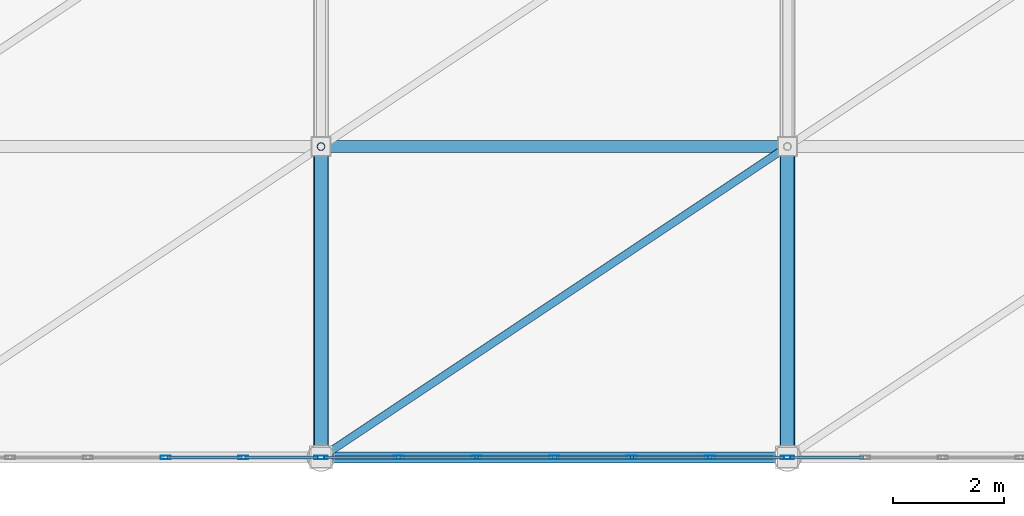
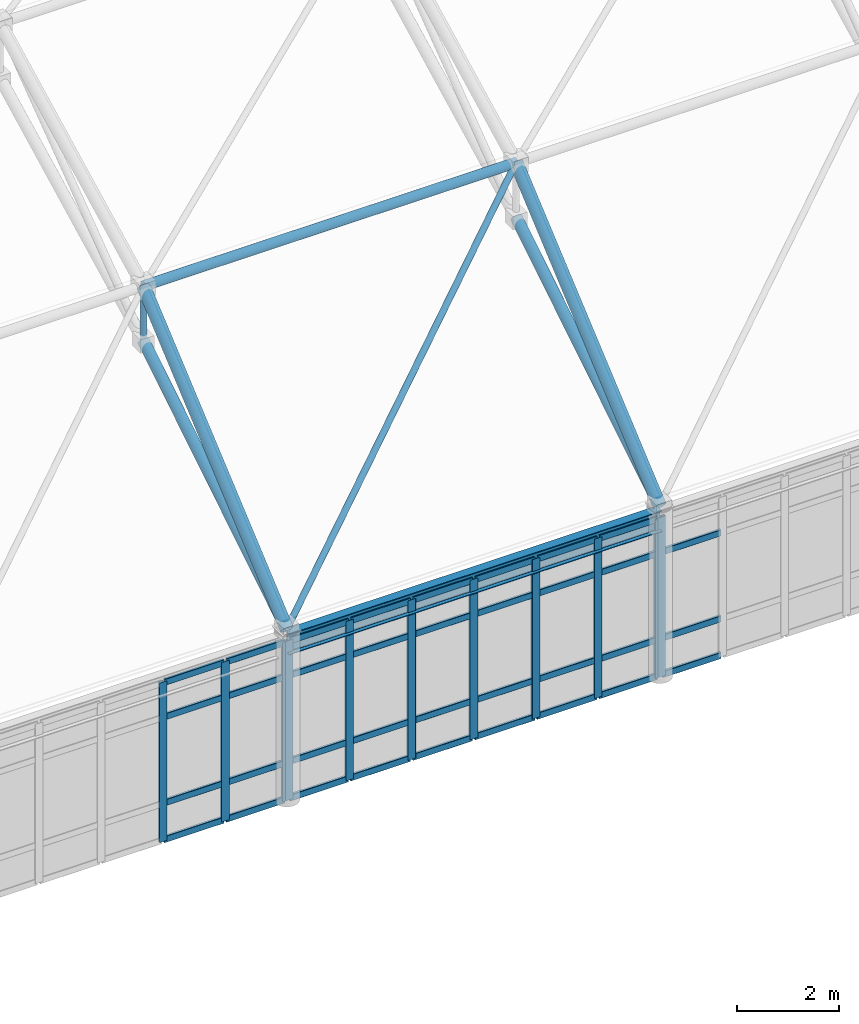
# One storey, part 67 of 184: 53 members, 1 beam, 3 elements without a shape of their own.
"""IFC4 building model written with IfcOpenShell, lengths in metres."""

from ifc_helpers import new_model, si_unit, direction, frame, origin, origin_2d, place, context, subcontext, project, spatial, hollow_rectangle, hollow_circle, i_section, extrude, material, layer, layer_set, material_profile, profile_set, type_object, element, aggregate, save


model = new_model("IFC4")

# Units and contexts
model_context = context("Model", 3, precision=1e-05, world=origin(), true_north=direction((0.0, 1.0)))
body_context = subcontext(model_context, "Body", "Model", "MODEL_VIEW")
ifc_project = project(units=[si_unit("LENGTHUNIT", "METRE"), si_unit("AREAUNIT", "SQUARE_METRE"), si_unit("VOLUMEUNIT", "CUBIC_METRE"), si_unit("PLANEANGLEUNIT", "RADIAN"), si_unit("MASSUNIT", "GRAM", prefix="KILO")], contexts=[model_context])

# Site, building, storey
site_placement = place(None, origin())
site = spatial("IfcSite", under=ifc_project, at=site_placement, CompositionType="ELEMENT")
building_placement = place(site_placement, origin())
building = spatial("IfcBuilding", under=site, at=building_placement, Name="Qalvenar Corner Mobility Hub", CompositionType="ELEMENT")
storey_placement = place(building_placement, frame((0.0, 0.0, 9.0)))
storey = spatial("IfcBuildingStorey", under=building, at=storey_placement, Name="L02", CompositionType="ELEMENT", Elevation=9.0)

# Beam
ifc_material_1 = material(Name="Steel S355", Category="steel")
ifc_material_profile_1 = material_profile(ifc_material_1, i_section(OverallWidth=0.199951171875, OverallDepth=0.5, WebThickness=0.01025390625, FlangeThickness=0.01611328125, FilletRadius=0.02099609375, at=origin_2d()), Name="IPE500")
ifc_profile_set_1 = profile_set([ifc_material_profile_1], Name="Steel S355")
beam_type = type_object("IfcBeamType", Name="BM-IPE500", PredefinedType="BEAM", material=ifc_profile_set_1)
beam_placement = place(storey_placement, frame((67.199951171875, 0.0, 3.75), z_axis=(1.0, 0.0, 0.0), x_axis=(0.0, 1.0, 0.0)))
element("IfcBeam", 1, at=beam_placement, inside=storey, type_object=beam_type, Name="Space Frame Ring Beam SFRB-3-0", PredefinedType="BEAM", context=body_context, shape_type="SweptSolid", body=[
    extrude(i_section(OverallWidth=0.199951171875, OverallDepth=0.5, WebThickness=0.01025390625, FlangeThickness=0.01611328125, FilletRadius=0.02099609375, at=origin_2d()), origin(), (0.0, 0.0, 1.0), 8.400146484375),
])

# Curtain wall, members
ifc_material_2 = material(Name="Anodised Aluminium and Low-E Glazing", Category="aluminium")
ifc_layer = layer(ifc_material_2, 0.179931640625)
ifc_layer_set = layer_set([ifc_layer], Name="Anodised Aluminium and Low-E Glazing")
curtain_wall_type = type_object("IfcCurtainWallType", Name="CW-CONC-84X42", PredefinedType="NOTDEFINED", material=ifc_layer_set)
curtain_wall_1_placement = place(storey_placement, origin())
curtain_wall_1 = element("IfcCurtainWall", 2, at=curtain_wall_1_placement, inside=storey, type_object=curtain_wall_type, Name="Glazed Curtain Wall CW-V1-L02-S1", PredefinedType="NOTDEFINED")
ifc_material_3 = material(Name="Anodised Aluminium 6063-T6", Category="aluminium")
ifc_material_profile_2 = material_profile(ifc_material_3, hollow_rectangle(XDim=0.06494140625, YDim=0.179931640625, WallThickness=0.00390625, InnerFilletRadius=0.00390625, OuterFilletRadius=0.008056640625, at=origin_2d()), Name="RHS180x65x4")
ifc_profile_set_2 = profile_set([ifc_material_profile_2], Name="Anodised Aluminium 6063-T6")
member_type_1 = type_object("IfcMemberType", Name="CW-MUL180", PredefinedType="MULLION", material=ifc_profile_set_2)
member_1_placement = place(storey_placement, frame((64.39990234375, 0.0, 0.0), z_axis=(0.0, 0.0, 1.0), x_axis=(0.0, 1.0, 0.0)))
member_1 = element("IfcMember", 3, at=member_1_placement, type_object=member_type_1, Name="CW-02 mullion 5", PredefinedType="MULLION", context=body_context, shape_type="SweptSolid", body=[
    extrude(hollow_rectangle(XDim=0.06494140625, YDim=0.179931640625, WallThickness=0.00390625, InnerFilletRadius=0.00390625, OuterFilletRadius=0.008056640625, at=origin_2d()), origin(), (0.0, 0.0, 1.0), 3.800048828125),
])
member_2_placement = place(storey_placement, frame((65.800048828125, 0.0, 0.0), z_axis=(0.0, 0.0, 1.0), x_axis=(0.0, 1.0, 0.0)))
member_2 = element("IfcMember", 4, at=member_2_placement, type_object=member_type_1, Name="CW-02 mullion 6", PredefinedType="MULLION", context=body_context, shape_type="SweptSolid", body=[
    extrude(hollow_rectangle(XDim=0.06494140625, YDim=0.179931640625, WallThickness=0.00390625, InnerFilletRadius=0.00390625, OuterFilletRadius=0.008056640625, at=origin_2d()), origin(), (0.0, 0.0, 1.0), 3.800048828125),
])
member_3_placement = place(storey_placement, frame((67.169921875, 0.0, 0.0), z_axis=(0.0, 0.0, 1.0), x_axis=(0.0, 1.0, 0.0)))
member_3 = element("IfcMember", 5, at=member_3_placement, type_object=member_type_1, Name="CW-02 mullion 7", PredefinedType="MULLION", context=body_context, shape_type="SweptSolid", body=[
    extrude(hollow_rectangle(XDim=0.06494140625, YDim=0.179931640625, WallThickness=0.00390625, InnerFilletRadius=0.00390625, OuterFilletRadius=0.008056640625, at=origin_2d()), origin(), (0.0, 0.0, 1.0), 3.800048828125),
])

curtain_wall_2_placement = place(storey_placement, origin())
curtain_wall_2 = element("IfcCurtainWall", 6, at=curtain_wall_2_placement, inside=storey, type_object=curtain_wall_type, Name="Glazed Curtain Wall CW-V1-L02-S2", PredefinedType="NOTDEFINED")
member_4_placement = place(storey_placement, frame((67.22998046875, 0.0, 0.0), z_axis=(0.0, 0.0, 1.0), x_axis=(0.0, 1.0, 0.0)))
member_4 = element("IfcMember", 7, at=member_4_placement, type_object=member_type_1, Name="CW-02 mullion 1", PredefinedType="MULLION", context=body_context, shape_type="SweptSolid", body=[
    extrude(hollow_rectangle(XDim=0.06494140625, YDim=0.179931640625, WallThickness=0.00390625, InnerFilletRadius=0.00390625, OuterFilletRadius=0.008056640625, at=origin_2d()), origin(), (0.0, 0.0, 1.0), 3.800048828125),
])
member_5_placement = place(storey_placement, frame((68.60009765625, 0.0, 0.0), z_axis=(0.0, 0.0, 1.0), x_axis=(0.0, 1.0, 0.0)))
member_5 = element("IfcMember", 8, at=member_5_placement, type_object=member_type_1, Name="CW-02 mullion 2", PredefinedType="MULLION", context=body_context, shape_type="SweptSolid", body=[
    extrude(hollow_rectangle(XDim=0.06494140625, YDim=0.179931640625, WallThickness=0.00390625, InnerFilletRadius=0.00390625, OuterFilletRadius=0.008056640625, at=origin_2d()), origin(), (0.0, 0.0, 1.0), 3.800048828125),
])
member_6_placement = place(storey_placement, frame((70.0, 0.0, 0.0), z_axis=(0.0, 0.0, 1.0), x_axis=(0.0, 1.0, 0.0)))
member_6 = element("IfcMember", 9, at=member_6_placement, type_object=member_type_1, Name="CW-02 mullion 3", PredefinedType="MULLION", context=body_context, shape_type="SweptSolid", body=[
    extrude(hollow_rectangle(XDim=0.06494140625, YDim=0.179931640625, WallThickness=0.00390625, InnerFilletRadius=0.00390625, OuterFilletRadius=0.008056640625, at=origin_2d()), origin(), (0.0, 0.0, 1.0), 3.800048828125),
])
member_7_placement = place(storey_placement, frame((71.39990234375, 0.0, 0.0), z_axis=(0.0, 0.0, 1.0), x_axis=(0.0, 1.0, 0.0)))
member_7 = element("IfcMember", 10, at=member_7_placement, type_object=member_type_1, Name="CW-02 mullion 4", PredefinedType="MULLION", context=body_context, shape_type="SweptSolid", body=[
    extrude(hollow_rectangle(XDim=0.06494140625, YDim=0.179931640625, WallThickness=0.00390625, InnerFilletRadius=0.00390625, OuterFilletRadius=0.008056640625, at=origin_2d()), origin(), (0.0, 0.0, 1.0), 3.800048828125),
])
member_8_placement = place(storey_placement, frame((72.800048828125, 0.0, 0.0), z_axis=(0.0, 0.0, 1.0), x_axis=(0.0, 1.0, 0.0)))
member_8 = element("IfcMember", 11, at=member_8_placement, type_object=member_type_1, Name="CW-02 mullion 5", PredefinedType="MULLION", context=body_context, shape_type="SweptSolid", body=[
    extrude(hollow_rectangle(XDim=0.06494140625, YDim=0.179931640625, WallThickness=0.00390625, InnerFilletRadius=0.00390625, OuterFilletRadius=0.008056640625, at=origin_2d()), origin(), (0.0, 0.0, 1.0), 3.800048828125),
])
member_9_placement = place(storey_placement, frame((74.199951171875, 0.0, 0.0), z_axis=(0.0, 0.0, 1.0), x_axis=(0.0, 1.0, 0.0)))
member_9 = element("IfcMember", 12, at=member_9_placement, type_object=member_type_1, Name="CW-02 mullion 6", PredefinedType="MULLION", context=body_context, shape_type="SweptSolid", body=[
    extrude(hollow_rectangle(XDim=0.06494140625, YDim=0.179931640625, WallThickness=0.00390625, InnerFilletRadius=0.00390625, OuterFilletRadius=0.008056640625, at=origin_2d()), origin(), (0.0, 0.0, 1.0), 3.800048828125),
])
member_10_placement = place(storey_placement, frame((75.570068359375, 0.0, 0.0), z_axis=(0.0, 0.0, 1.0), x_axis=(0.0, 1.0, 0.0)))
member_10 = element("IfcMember", 13, at=member_10_placement, type_object=member_type_1, Name="CW-02 mullion 7", PredefinedType="MULLION", context=body_context, shape_type="SweptSolid", body=[
    extrude(hollow_rectangle(XDim=0.06494140625, YDim=0.179931640625, WallThickness=0.00390625, InnerFilletRadius=0.00390625, OuterFilletRadius=0.008056640625, at=origin_2d()), origin(), (0.0, 0.0, 1.0), 3.800048828125),
])

# Curtain wall, member
curtain_wall_3_placement = place(storey_placement, origin())
curtain_wall_3 = element("IfcCurtainWall", 14, at=curtain_wall_3_placement, inside=storey, type_object=curtain_wall_type, Name="Glazed Curtain Wall CW-V1-L02-S3", PredefinedType="NOTDEFINED")
member_11_placement = place(storey_placement, frame((75.6298828125, 0.0, 0.0), z_axis=(0.0, 0.0, 1.0), x_axis=(0.0, 1.0, 0.0)))
member_11 = element("IfcMember", 15, at=member_11_placement, type_object=member_type_1, Name="CW-02 mullion 1", PredefinedType="MULLION", context=body_context, shape_type="SweptSolid", body=[
    extrude(hollow_rectangle(XDim=0.06494140625, YDim=0.179931640625, WallThickness=0.00390625, InnerFilletRadius=0.00390625, OuterFilletRadius=0.008056640625, at=origin_2d()), origin(), (0.0, 0.0, 1.0), 3.800048828125),
])

# Member
ifc_material_profile_3 = material_profile(ifc_material_3, hollow_rectangle(XDim=0.06005859375, YDim=0.14990234375, WallThickness=0.00341796875, InnerFilletRadius=0.00341796875, OuterFilletRadius=0.007080078125, at=origin_2d()), Name="RHS150x60x3.5")
ifc_profile_set_3 = profile_set([ifc_material_profile_3], Name="Anodised Aluminium 6063-T6")
member_type_2 = type_object("IfcMemberType", Name="CW-TRN150", PredefinedType="USERDEFINED", material=ifc_profile_set_3)
member_12_placement = place(storey_placement, frame((64.429931640625, 0.0, 0.027587890625), z_axis=(1.0, 0.0, 0.0), x_axis=(0.0, 1.0, 0.0)))
member_12 = element("IfcMember", 16, at=member_12_placement, type_object=member_type_2, Name="CW-02 transom 5.1", ObjectType="TRANSOM", PredefinedType="USERDEFINED", context=body_context, shape_type="SweptSolid", body=[
    extrude(hollow_rectangle(XDim=0.06005859375, YDim=0.14990234375, WallThickness=0.00341796875, InnerFilletRadius=0.00341796875, OuterFilletRadius=0.007080078125, at=origin_2d()), origin(), (0.0, 0.0, 1.0), 1.340087890625),
])

member_13_placement = place(storey_placement, frame((64.429931640625, 0.0, 0.89990234375), z_axis=(1.0, 0.0, 0.0), x_axis=(0.0, 1.0, 0.0)))
member_13 = element("IfcMember", 17, at=member_13_placement, type_object=member_type_2, Name="CW-02 transom 5.2", ObjectType="TRANSOM", PredefinedType="USERDEFINED", context=body_context, shape_type="SweptSolid", body=[
    extrude(hollow_rectangle(XDim=0.06005859375, YDim=0.14990234375, WallThickness=0.00341796875, InnerFilletRadius=0.00341796875, OuterFilletRadius=0.007080078125, at=origin_2d()), origin(), (0.0, 0.0, 1.0), 1.340087890625),
])

member_14_placement = place(storey_placement, frame((64.429931640625, 0.0, 2.949951171875), z_axis=(1.0, 0.0, 0.0), x_axis=(0.0, 1.0, 0.0)))
member_14 = element("IfcMember", 18, at=member_14_placement, type_object=member_type_2, Name="CW-02 transom 5.3", ObjectType="TRANSOM", PredefinedType="USERDEFINED", context=body_context, shape_type="SweptSolid", body=[
    extrude(hollow_rectangle(XDim=0.06005859375, YDim=0.14990234375, WallThickness=0.00341796875, InnerFilletRadius=0.00341796875, OuterFilletRadius=0.007080078125, at=origin_2d()), origin(), (0.0, 0.0, 1.0), 1.340087890625),
])

member_15_placement = place(storey_placement, frame((64.429931640625, 0.0, 3.7724609375), z_axis=(1.0, 0.0, 0.0), x_axis=(0.0, 1.0, 0.0)))
member_15 = element("IfcMember", 19, at=member_15_placement, type_object=member_type_2, Name="CW-02 transom 5.4", ObjectType="TRANSOM", PredefinedType="USERDEFINED", context=body_context, shape_type="SweptSolid", body=[
    extrude(hollow_rectangle(XDim=0.06005859375, YDim=0.14990234375, WallThickness=0.00341796875, InnerFilletRadius=0.00341796875, OuterFilletRadius=0.007080078125, at=origin_2d()), origin(), (0.0, 0.0, 1.0), 1.340087890625),
])

member_16_placement = place(storey_placement, frame((65.830078125, 0.0, 0.027587890625), z_axis=(1.0, 0.0, 0.0), x_axis=(0.0, 1.0, 0.0)))
member_16 = element("IfcMember", 20, at=member_16_placement, type_object=member_type_2, Name="CW-02 transom 6.1", ObjectType="TRANSOM", PredefinedType="USERDEFINED", context=body_context, shape_type="SweptSolid", body=[
    extrude(hollow_rectangle(XDim=0.06005859375, YDim=0.14990234375, WallThickness=0.00341796875, InnerFilletRadius=0.00341796875, OuterFilletRadius=0.007080078125, at=origin_2d()), origin(), (0.0, 0.0, 1.0), 1.309814453125),
])

member_17_placement = place(storey_placement, frame((65.830078125, 0.0, 0.89990234375), z_axis=(1.0, 0.0, 0.0), x_axis=(0.0, 1.0, 0.0)))
member_17 = element("IfcMember", 21, at=member_17_placement, type_object=member_type_2, Name="CW-02 transom 6.2", ObjectType="TRANSOM", PredefinedType="USERDEFINED", context=body_context, shape_type="SweptSolid", body=[
    extrude(hollow_rectangle(XDim=0.06005859375, YDim=0.14990234375, WallThickness=0.00341796875, InnerFilletRadius=0.00341796875, OuterFilletRadius=0.007080078125, at=origin_2d()), origin(), (0.0, 0.0, 1.0), 1.309814453125),
])

member_18_placement = place(storey_placement, frame((65.830078125, 0.0, 2.949951171875), z_axis=(1.0, 0.0, 0.0), x_axis=(0.0, 1.0, 0.0)))
member_18 = element("IfcMember", 22, at=member_18_placement, type_object=member_type_2, Name="CW-02 transom 6.3", ObjectType="TRANSOM", PredefinedType="USERDEFINED", context=body_context, shape_type="SweptSolid", body=[
    extrude(hollow_rectangle(XDim=0.06005859375, YDim=0.14990234375, WallThickness=0.00341796875, InnerFilletRadius=0.00341796875, OuterFilletRadius=0.007080078125, at=origin_2d()), origin(), (0.0, 0.0, 1.0), 1.309814453125),
])

member_19_placement = place(storey_placement, frame((65.830078125, 0.0, 3.7724609375), z_axis=(1.0, 0.0, 0.0), x_axis=(0.0, 1.0, 0.0)))
member_19 = element("IfcMember", 23, at=member_19_placement, type_object=member_type_2, Name="CW-02 transom 6.4", ObjectType="TRANSOM", PredefinedType="USERDEFINED", context=body_context, shape_type="SweptSolid", body=[
    extrude(hollow_rectangle(XDim=0.06005859375, YDim=0.14990234375, WallThickness=0.00341796875, InnerFilletRadius=0.00341796875, OuterFilletRadius=0.007080078125, at=origin_2d()), origin(), (0.0, 0.0, 1.0), 1.309814453125),
])

aggregate(curtain_wall_1, [member_1, member_2, member_3, member_12, member_13, member_14, member_15, member_16, member_17, member_18, member_19])

member_20_placement = place(storey_placement, frame((67.260009765625, 0.0, 0.027587890625), z_axis=(1.0, 0.0, 0.0), x_axis=(0.0, 1.0, 0.0)))
member_20 = element("IfcMember", 24, at=member_20_placement, type_object=member_type_2, Name="CW-02 transom 1.1", ObjectType="TRANSOM", PredefinedType="USERDEFINED", context=body_context, shape_type="SweptSolid", body=[
    extrude(hollow_rectangle(XDim=0.06005859375, YDim=0.14990234375, WallThickness=0.00341796875, InnerFilletRadius=0.00341796875, OuterFilletRadius=0.007080078125, at=origin_2d()), origin(), (0.0, 0.0, 1.0), 1.31005859375),
])

member_21_placement = place(storey_placement, frame((67.260009765625, 0.0, 0.89990234375), z_axis=(1.0, 0.0, 0.0), x_axis=(0.0, 1.0, 0.0)))
member_21 = element("IfcMember", 25, at=member_21_placement, type_object=member_type_2, Name="CW-02 transom 1.2", ObjectType="TRANSOM", PredefinedType="USERDEFINED", context=body_context, shape_type="SweptSolid", body=[
    extrude(hollow_rectangle(XDim=0.06005859375, YDim=0.14990234375, WallThickness=0.00341796875, InnerFilletRadius=0.00341796875, OuterFilletRadius=0.007080078125, at=origin_2d()), origin(), (0.0, 0.0, 1.0), 1.31005859375),
])

member_22_placement = place(storey_placement, frame((67.260009765625, 0.0, 2.949951171875), z_axis=(1.0, 0.0, 0.0), x_axis=(0.0, 1.0, 0.0)))
member_22 = element("IfcMember", 26, at=member_22_placement, type_object=member_type_2, Name="CW-02 transom 1.3", ObjectType="TRANSOM", PredefinedType="USERDEFINED", context=body_context, shape_type="SweptSolid", body=[
    extrude(hollow_rectangle(XDim=0.06005859375, YDim=0.14990234375, WallThickness=0.00341796875, InnerFilletRadius=0.00341796875, OuterFilletRadius=0.007080078125, at=origin_2d()), origin(), (0.0, 0.0, 1.0), 1.31005859375),
])

member_23_placement = place(storey_placement, frame((67.260009765625, 0.0, 3.7724609375), z_axis=(1.0, 0.0, 0.0), x_axis=(0.0, 1.0, 0.0)))
member_23 = element("IfcMember", 27, at=member_23_placement, type_object=member_type_2, Name="CW-02 transom 1.4", ObjectType="TRANSOM", PredefinedType="USERDEFINED", context=body_context, shape_type="SweptSolid", body=[
    extrude(hollow_rectangle(XDim=0.06005859375, YDim=0.14990234375, WallThickness=0.00341796875, InnerFilletRadius=0.00341796875, OuterFilletRadius=0.007080078125, at=origin_2d()), origin(), (0.0, 0.0, 1.0), 1.31005859375),
])

member_24_placement = place(storey_placement, frame((68.6298828125, 0.0, 0.027587890625), z_axis=(1.0, 0.0, 0.0), x_axis=(0.0, 1.0, 0.0)))
member_24 = element("IfcMember", 28, at=member_24_placement, type_object=member_type_2, Name="CW-02 transom 2.1", ObjectType="TRANSOM", PredefinedType="USERDEFINED", context=body_context, shape_type="SweptSolid", body=[
    extrude(hollow_rectangle(XDim=0.06005859375, YDim=0.14990234375, WallThickness=0.00341796875, InnerFilletRadius=0.00341796875, OuterFilletRadius=0.007080078125, at=origin_2d()), origin(), (0.0, 0.0, 1.0), 1.340087890625),
])

member_25_placement = place(storey_placement, frame((68.6298828125, 0.0, 0.89990234375), z_axis=(1.0, 0.0, 0.0), x_axis=(0.0, 1.0, 0.0)))
member_25 = element("IfcMember", 29, at=member_25_placement, type_object=member_type_2, Name="CW-02 transom 2.2", ObjectType="TRANSOM", PredefinedType="USERDEFINED", context=body_context, shape_type="SweptSolid", body=[
    extrude(hollow_rectangle(XDim=0.06005859375, YDim=0.14990234375, WallThickness=0.00341796875, InnerFilletRadius=0.00341796875, OuterFilletRadius=0.007080078125, at=origin_2d()), origin(), (0.0, 0.0, 1.0), 1.340087890625),
])

member_26_placement = place(storey_placement, frame((68.6298828125, 0.0, 2.949951171875), z_axis=(1.0, 0.0, 0.0), x_axis=(0.0, 1.0, 0.0)))
member_26 = element("IfcMember", 30, at=member_26_placement, type_object=member_type_2, Name="CW-02 transom 2.3", ObjectType="TRANSOM", PredefinedType="USERDEFINED", context=body_context, shape_type="SweptSolid", body=[
    extrude(hollow_rectangle(XDim=0.06005859375, YDim=0.14990234375, WallThickness=0.00341796875, InnerFilletRadius=0.00341796875, OuterFilletRadius=0.007080078125, at=origin_2d()), origin(), (0.0, 0.0, 1.0), 1.340087890625),
])

member_27_placement = place(storey_placement, frame((68.6298828125, 0.0, 3.7724609375), z_axis=(1.0, 0.0, 0.0), x_axis=(0.0, 1.0, 0.0)))
member_27 = element("IfcMember", 31, at=member_27_placement, type_object=member_type_2, Name="CW-02 transom 2.4", ObjectType="TRANSOM", PredefinedType="USERDEFINED", context=body_context, shape_type="SweptSolid", body=[
    extrude(hollow_rectangle(XDim=0.06005859375, YDim=0.14990234375, WallThickness=0.00341796875, InnerFilletRadius=0.00341796875, OuterFilletRadius=0.007080078125, at=origin_2d()), origin(), (0.0, 0.0, 1.0), 1.340087890625),
])

member_28_placement = place(storey_placement, frame((70.030029296875, 0.0, 0.027587890625), z_axis=(1.0, 0.0, 0.0), x_axis=(0.0, 1.0, 0.0)))
member_28 = element("IfcMember", 32, at=member_28_placement, type_object=member_type_2, Name="CW-02 transom 3.1", ObjectType="TRANSOM", PredefinedType="USERDEFINED", context=body_context, shape_type="SweptSolid", body=[
    extrude(hollow_rectangle(XDim=0.06005859375, YDim=0.14990234375, WallThickness=0.00341796875, InnerFilletRadius=0.00341796875, OuterFilletRadius=0.007080078125, at=origin_2d()), origin(), (0.0, 0.0, 1.0), 1.340087890625),
])

member_29_placement = place(storey_placement, frame((70.030029296875, 0.0, 0.89990234375), z_axis=(1.0, 0.0, 0.0), x_axis=(0.0, 1.0, 0.0)))
member_29 = element("IfcMember", 33, at=member_29_placement, type_object=member_type_2, Name="CW-02 transom 3.2", ObjectType="TRANSOM", PredefinedType="USERDEFINED", context=body_context, shape_type="SweptSolid", body=[
    extrude(hollow_rectangle(XDim=0.06005859375, YDim=0.14990234375, WallThickness=0.00341796875, InnerFilletRadius=0.00341796875, OuterFilletRadius=0.007080078125, at=origin_2d()), origin(), (0.0, 0.0, 1.0), 1.340087890625),
])

member_30_placement = place(storey_placement, frame((70.030029296875, 0.0, 2.949951171875), z_axis=(1.0, 0.0, 0.0), x_axis=(0.0, 1.0, 0.0)))
member_30 = element("IfcMember", 34, at=member_30_placement, type_object=member_type_2, Name="CW-02 transom 3.3", ObjectType="TRANSOM", PredefinedType="USERDEFINED", context=body_context, shape_type="SweptSolid", body=[
    extrude(hollow_rectangle(XDim=0.06005859375, YDim=0.14990234375, WallThickness=0.00341796875, InnerFilletRadius=0.00341796875, OuterFilletRadius=0.007080078125, at=origin_2d()), origin(), (0.0, 0.0, 1.0), 1.340087890625),
])

member_31_placement = place(storey_placement, frame((70.030029296875, 0.0, 3.7724609375), z_axis=(1.0, 0.0, 0.0), x_axis=(0.0, 1.0, 0.0)))
member_31 = element("IfcMember", 35, at=member_31_placement, type_object=member_type_2, Name="CW-02 transom 3.4", ObjectType="TRANSOM", PredefinedType="USERDEFINED", context=body_context, shape_type="SweptSolid", body=[
    extrude(hollow_rectangle(XDim=0.06005859375, YDim=0.14990234375, WallThickness=0.00341796875, InnerFilletRadius=0.00341796875, OuterFilletRadius=0.007080078125, at=origin_2d()), origin(), (0.0, 0.0, 1.0), 1.340087890625),
])

member_32_placement = place(storey_placement, frame((71.429931640625, 0.0, 0.027587890625), z_axis=(1.0, 0.0, 0.0), x_axis=(0.0, 1.0, 0.0)))
member_32 = element("IfcMember", 36, at=member_32_placement, type_object=member_type_2, Name="CW-02 transom 4.1", ObjectType="TRANSOM", PredefinedType="USERDEFINED", context=body_context, shape_type="SweptSolid", body=[
    extrude(hollow_rectangle(XDim=0.06005859375, YDim=0.14990234375, WallThickness=0.00341796875, InnerFilletRadius=0.00341796875, OuterFilletRadius=0.007080078125, at=origin_2d()), origin(), (0.0, 0.0, 1.0), 1.340087890625),
])

member_33_placement = place(storey_placement, frame((71.429931640625, 0.0, 0.89990234375), z_axis=(1.0, 0.0, 0.0), x_axis=(0.0, 1.0, 0.0)))
member_33 = element("IfcMember", 37, at=member_33_placement, type_object=member_type_2, Name="CW-02 transom 4.2", ObjectType="TRANSOM", PredefinedType="USERDEFINED", context=body_context, shape_type="SweptSolid", body=[
    extrude(hollow_rectangle(XDim=0.06005859375, YDim=0.14990234375, WallThickness=0.00341796875, InnerFilletRadius=0.00341796875, OuterFilletRadius=0.007080078125, at=origin_2d()), origin(), (0.0, 0.0, 1.0), 1.340087890625),
])

member_34_placement = place(storey_placement, frame((71.429931640625, 0.0, 2.949951171875), z_axis=(1.0, 0.0, 0.0), x_axis=(0.0, 1.0, 0.0)))
member_34 = element("IfcMember", 38, at=member_34_placement, type_object=member_type_2, Name="CW-02 transom 4.3", ObjectType="TRANSOM", PredefinedType="USERDEFINED", context=body_context, shape_type="SweptSolid", body=[
    extrude(hollow_rectangle(XDim=0.06005859375, YDim=0.14990234375, WallThickness=0.00341796875, InnerFilletRadius=0.00341796875, OuterFilletRadius=0.007080078125, at=origin_2d()), origin(), (0.0, 0.0, 1.0), 1.340087890625),
])

member_35_placement = place(storey_placement, frame((71.429931640625, 0.0, 3.7724609375), z_axis=(1.0, 0.0, 0.0), x_axis=(0.0, 1.0, 0.0)))
member_35 = element("IfcMember", 39, at=member_35_placement, type_object=member_type_2, Name="CW-02 transom 4.4", ObjectType="TRANSOM", PredefinedType="USERDEFINED", context=body_context, shape_type="SweptSolid", body=[
    extrude(hollow_rectangle(XDim=0.06005859375, YDim=0.14990234375, WallThickness=0.00341796875, InnerFilletRadius=0.00341796875, OuterFilletRadius=0.007080078125, at=origin_2d()), origin(), (0.0, 0.0, 1.0), 1.340087890625),
])

member_36_placement = place(storey_placement, frame((72.830078125, 0.0, 0.027587890625), z_axis=(1.0, 0.0, 0.0), x_axis=(0.0, 1.0, 0.0)))
member_36 = element("IfcMember", 40, at=member_36_placement, type_object=member_type_2, Name="CW-02 transom 5.1", ObjectType="TRANSOM", PredefinedType="USERDEFINED", context=body_context, shape_type="SweptSolid", body=[
    extrude(hollow_rectangle(XDim=0.06005859375, YDim=0.14990234375, WallThickness=0.00341796875, InnerFilletRadius=0.00341796875, OuterFilletRadius=0.007080078125, at=origin_2d()), origin(), (0.0, 0.0, 1.0), 1.33984375),
])

member_37_placement = place(storey_placement, frame((72.830078125, 0.0, 0.89990234375), z_axis=(1.0, 0.0, 0.0), x_axis=(0.0, 1.0, 0.0)))
member_37 = element("IfcMember", 41, at=member_37_placement, type_object=member_type_2, Name="CW-02 transom 5.2", ObjectType="TRANSOM", PredefinedType="USERDEFINED", context=body_context, shape_type="SweptSolid", body=[
    extrude(hollow_rectangle(XDim=0.06005859375, YDim=0.14990234375, WallThickness=0.00341796875, InnerFilletRadius=0.00341796875, OuterFilletRadius=0.007080078125, at=origin_2d()), origin(), (0.0, 0.0, 1.0), 1.33984375),
])

member_38_placement = place(storey_placement, frame((72.830078125, 0.0, 2.949951171875), z_axis=(1.0, 0.0, 0.0), x_axis=(0.0, 1.0, 0.0)))
member_38 = element("IfcMember", 42, at=member_38_placement, type_object=member_type_2, Name="CW-02 transom 5.3", ObjectType="TRANSOM", PredefinedType="USERDEFINED", context=body_context, shape_type="SweptSolid", body=[
    extrude(hollow_rectangle(XDim=0.06005859375, YDim=0.14990234375, WallThickness=0.00341796875, InnerFilletRadius=0.00341796875, OuterFilletRadius=0.007080078125, at=origin_2d()), origin(), (0.0, 0.0, 1.0), 1.33984375),
])

member_39_placement = place(storey_placement, frame((72.830078125, 0.0, 3.7724609375), z_axis=(1.0, 0.0, 0.0), x_axis=(0.0, 1.0, 0.0)))
member_39 = element("IfcMember", 43, at=member_39_placement, type_object=member_type_2, Name="CW-02 transom 5.4", ObjectType="TRANSOM", PredefinedType="USERDEFINED", context=body_context, shape_type="SweptSolid", body=[
    extrude(hollow_rectangle(XDim=0.06005859375, YDim=0.14990234375, WallThickness=0.00341796875, InnerFilletRadius=0.00341796875, OuterFilletRadius=0.007080078125, at=origin_2d()), origin(), (0.0, 0.0, 1.0), 1.33984375),
])

member_40_placement = place(storey_placement, frame((74.22998046875, 0.0, 0.027587890625), z_axis=(1.0, 0.0, 0.0), x_axis=(0.0, 1.0, 0.0)))
member_40 = element("IfcMember", 44, at=member_40_placement, type_object=member_type_2, Name="CW-02 transom 6.1", ObjectType="TRANSOM", PredefinedType="USERDEFINED", context=body_context, shape_type="SweptSolid", body=[
    extrude(hollow_rectangle(XDim=0.06005859375, YDim=0.14990234375, WallThickness=0.00341796875, InnerFilletRadius=0.00341796875, OuterFilletRadius=0.007080078125, at=origin_2d()), origin(), (0.0, 0.0, 1.0), 1.31005859375),
])

member_41_placement = place(storey_placement, frame((74.22998046875, 0.0, 0.89990234375), z_axis=(1.0, 0.0, 0.0), x_axis=(0.0, 1.0, 0.0)))
member_41 = element("IfcMember", 45, at=member_41_placement, type_object=member_type_2, Name="CW-02 transom 6.2", ObjectType="TRANSOM", PredefinedType="USERDEFINED", context=body_context, shape_type="SweptSolid", body=[
    extrude(hollow_rectangle(XDim=0.06005859375, YDim=0.14990234375, WallThickness=0.00341796875, InnerFilletRadius=0.00341796875, OuterFilletRadius=0.007080078125, at=origin_2d()), origin(), (0.0, 0.0, 1.0), 1.31005859375),
])

member_42_placement = place(storey_placement, frame((74.22998046875, 0.0, 2.949951171875), z_axis=(1.0, 0.0, 0.0), x_axis=(0.0, 1.0, 0.0)))
member_42 = element("IfcMember", 46, at=member_42_placement, type_object=member_type_2, Name="CW-02 transom 6.3", ObjectType="TRANSOM", PredefinedType="USERDEFINED", context=body_context, shape_type="SweptSolid", body=[
    extrude(hollow_rectangle(XDim=0.06005859375, YDim=0.14990234375, WallThickness=0.00341796875, InnerFilletRadius=0.00341796875, OuterFilletRadius=0.007080078125, at=origin_2d()), origin(), (0.0, 0.0, 1.0), 1.31005859375),
])

member_43_placement = place(storey_placement, frame((74.22998046875, 0.0, 3.7724609375), z_axis=(1.0, 0.0, 0.0), x_axis=(0.0, 1.0, 0.0)))
member_43 = element("IfcMember", 47, at=member_43_placement, type_object=member_type_2, Name="CW-02 transom 6.4", ObjectType="TRANSOM", PredefinedType="USERDEFINED", context=body_context, shape_type="SweptSolid", body=[
    extrude(hollow_rectangle(XDim=0.06005859375, YDim=0.14990234375, WallThickness=0.00341796875, InnerFilletRadius=0.00341796875, OuterFilletRadius=0.007080078125, at=origin_2d()), origin(), (0.0, 0.0, 1.0), 1.31005859375),
])

aggregate(curtain_wall_2, [member_4, member_5, member_6, member_7, member_8, member_9, member_10, member_20, member_21, member_22, member_23, member_24, member_25, member_26, member_27, member_28, member_29, member_30, member_31, member_32, member_33, member_34, member_35, member_36, member_37, member_38, member_39, member_40, member_41, member_42, member_43])

member_44_placement = place(storey_placement, frame((75.659912109375, 0.0, 0.027587890625), z_axis=(1.0, 0.0, 0.0), x_axis=(0.0, 1.0, 0.0)))
member_44 = element("IfcMember", 48, at=member_44_placement, type_object=member_type_2, Name="CW-02 transom 1.1", ObjectType="TRANSOM", PredefinedType="USERDEFINED", context=body_context, shape_type="SweptSolid", body=[
    extrude(hollow_rectangle(XDim=0.06005859375, YDim=0.14990234375, WallThickness=0.00341796875, InnerFilletRadius=0.00341796875, OuterFilletRadius=0.007080078125, at=origin_2d()), origin(), (0.0, 0.0, 1.0), 1.31005859375),
])

member_45_placement = place(storey_placement, frame((75.659912109375, 0.0, 0.89990234375), z_axis=(1.0, 0.0, 0.0), x_axis=(0.0, 1.0, 0.0)))
member_45 = element("IfcMember", 49, at=member_45_placement, type_object=member_type_2, Name="CW-02 transom 1.2", ObjectType="TRANSOM", PredefinedType="USERDEFINED", context=body_context, shape_type="SweptSolid", body=[
    extrude(hollow_rectangle(XDim=0.06005859375, YDim=0.14990234375, WallThickness=0.00341796875, InnerFilletRadius=0.00341796875, OuterFilletRadius=0.007080078125, at=origin_2d()), origin(), (0.0, 0.0, 1.0), 1.31005859375),
])

member_46_placement = place(storey_placement, frame((75.659912109375, 0.0, 2.949951171875), z_axis=(1.0, 0.0, 0.0), x_axis=(0.0, 1.0, 0.0)))
member_46 = element("IfcMember", 50, at=member_46_placement, type_object=member_type_2, Name="CW-02 transom 1.3", ObjectType="TRANSOM", PredefinedType="USERDEFINED", context=body_context, shape_type="SweptSolid", body=[
    extrude(hollow_rectangle(XDim=0.06005859375, YDim=0.14990234375, WallThickness=0.00341796875, InnerFilletRadius=0.00341796875, OuterFilletRadius=0.007080078125, at=origin_2d()), origin(), (0.0, 0.0, 1.0), 1.31005859375),
])

aggregate(curtain_wall_3, [member_11, member_44, member_45, member_46])

# Members
ifc_material_4 = material(Name="Steel S355", Category="steel")
ifc_material_profile_4 = material_profile(ifc_material_4, hollow_circle(Radius=0.109619140625, WallThickness=0.008056640625, at=origin_2d()), Name="CHS219.1x8")
ifc_profile_set_4 = profile_set([ifc_material_profile_4], Name="Steel S355")
member_type_3 = type_object("IfcMemberType", Name="SF-CHD219", PredefinedType="CHORD", material=ifc_profile_set_4)
member_47_placement = place(storey_placement, frame((67.199951171875, 5.60009765625, 8.837890625), z_axis=(1.0, 0.0, 0.0), x_axis=(0.0, 1.0, 0.0)))
element("IfcMember", 51, at=member_47_placement, inside=storey, type_object=member_type_3, Name="Space Frame Longitudinal Chord SFL-0191", PredefinedType="CHORD", context=body_context, shape_type="SweptSolid", body=[
    extrude(hollow_circle(Radius=0.109619140625, WallThickness=0.008056640625, at=origin_2d()), origin(), (0.0, 0.0, 1.0), 8.400146484375),
])
ifc_material_profile_5 = material_profile(ifc_material_4, hollow_circle(Radius=0.122314453125, WallThickness=0.0087890625, at=origin_2d()), Name="CHS244.5x8.8")
ifc_profile_set_5 = profile_set([ifc_material_profile_5], Name="Steel S355")
member_type_4 = type_object("IfcMemberType", Name="SF-CHD244", PredefinedType="CHORD", material=ifc_profile_set_5)
for number, where, z_axis, x_axis, name in (
    (52, (67.199951171875, 0.0, 4.06005859375), (0.0, 0.849513681623, 0.527566587964), (-1.0, 0.0, 0.0), "Space Frame Bottom Chord SFBC-0044"),
    (53, (75.60009765625, 0.0, 4.06005859375), (0.0, 0.849513681623, 0.527566587964), (-1.0, 0.0, 0.0), "Space Frame Bottom Chord SFBC-0065"),
):
    element("IfcMember", number, at=place(storey_placement, frame(where, z_axis=z_axis, x_axis=x_axis)), inside=storey, type_object=member_type_4, Name=name, PredefinedType="CHORD", context=body_context, shape_type="SweptSolid", body=[
        extrude(hollow_circle(Radius=0.122314453125, WallThickness=0.0087890625, at=origin_2d()), origin(), (0.0, 0.0, 1.0), 6.592041015625),
    ])
ifc_material_profile_6 = material_profile(ifc_material_4, hollow_circle(Radius=0.136474609375, WallThickness=0.010009765625, at=origin_2d()), Name="CHS273x10")
ifc_profile_set_6 = profile_set([ifc_material_profile_6], Name="Steel S355")
member_type_5 = type_object("IfcMemberType", Name="SF-CHD273", PredefinedType="CHORD", material=ifc_profile_set_6)
for number, where, z_axis, x_axis, name in (
    (54, (67.199951171875, 0.0, 4.06005859375), (0.0, 0.760748216799, 0.64904710972), (-1.0, 0.0, 0.0), "Space Frame Top Chord SFTC-0043"),
    (55, (75.60009765625, 0.0, 4.06005859375), (0.0, 0.760748216799, 0.64904710972), (-1.0, 0.0, 0.0), "Space Frame Top Chord SFTC-0064"),
):
    element("IfcMember", number, at=place(storey_placement, frame(where, z_axis=z_axis, x_axis=x_axis)), inside=storey, type_object=member_type_5, Name=name, PredefinedType="CHORD", context=body_context, shape_type="SweptSolid", body=[
        extrude(hollow_circle(Radius=0.136474609375, WallThickness=0.010009765625, at=origin_2d()), origin(), (0.0, 0.0, 1.0), 7.361328125),
    ])
ifc_material_profile_7 = material_profile(ifc_material_4, hollow_circle(Radius=0.06982421875, WallThickness=0.0048828125, at=origin_2d()), Name="CHS139.7x5")
ifc_profile_set_7 = profile_set([ifc_material_profile_7], Name="Steel S355")
member_type_6 = type_object("IfcMemberType", Name="SF-STR139", PredefinedType="STRUT", material=ifc_profile_set_7)
member_48_placement = place(storey_placement, frame((67.199951171875, 5.60009765625, 7.537841796875), z_axis=(0.0, 0.0, 1.0), x_axis=(1.0, 0.0, 0.0)))
element("IfcMember", 56, at=member_48_placement, inside=storey, type_object=member_type_6, Name="Space Frame King Strut SFV-0059", PredefinedType="STRUT", context=body_context, shape_type="SweptSolid", body=[
    extrude(hollow_circle(Radius=0.06982421875, WallThickness=0.0048828125, at=origin_2d()), origin(), (0.0, 0.0, 1.0), 1.300048828125),
])
member_49_placement = place(storey_placement, frame((67.199951171875, 0.0, 4.06005859375), z_axis=(0.752080684615, 0.501387123077, 0.427768157582), x_axis=(-0.554700196225, 0.832050294338, 0.0)))
element("IfcMember", 57, at=member_49_placement, inside=storey, type_object=member_type_6, Name="Space Frame Plan Strut SFP-0196", PredefinedType="STRUT", context=body_context, shape_type="SweptSolid", body=[
    extrude(hollow_circle(Radius=0.06982421875, WallThickness=0.0048828125, at=origin_2d()), origin(), (0.0, 0.0, 1.0), 11.169189453125),
])

save(model, "model.ifc")
